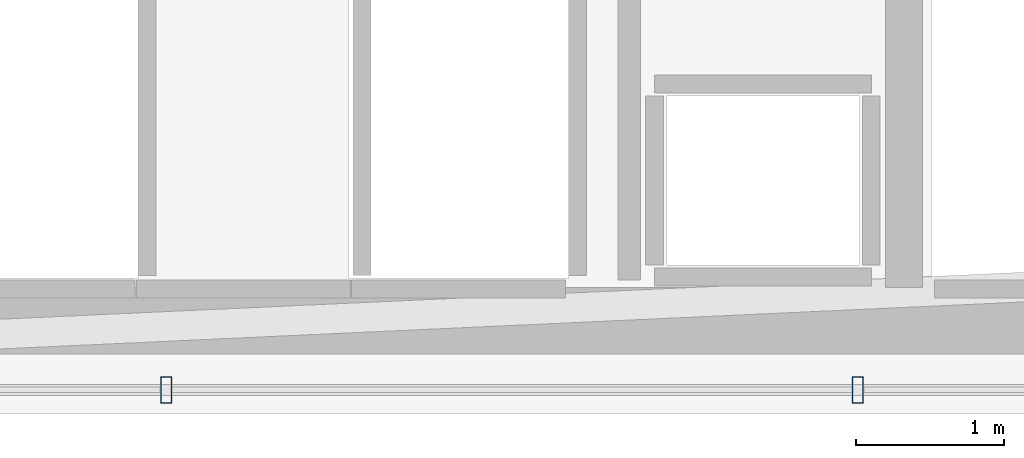
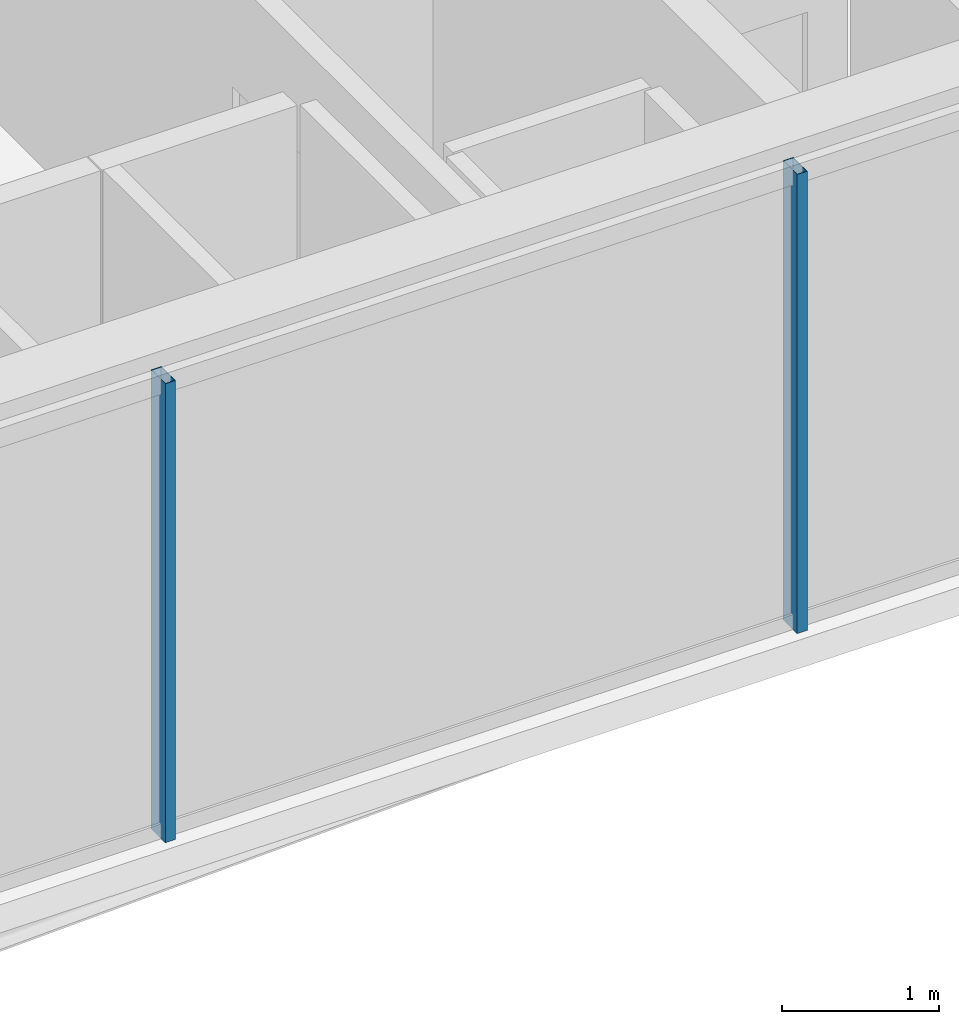
# One storey, part 9 of 33: 2 members, 1 element without a shape of its own.
"""IFC4 building model written with IfcOpenShell, lengths in metres."""

from ifc_helpers import new_model, si_unit, direction, frame, origin, origin_2d, place, context, subcontext, project, spatial, hollow_rectangle, extrude, material, layer, layer_set, material_profile, profile_set, type_object, element, aggregate, save


model = new_model("IFC4")

# Units and contexts
model_context = context("Model", 3, precision=1e-05, world=origin(), true_north=direction((0.0, 1.0)))
body_context = subcontext(model_context, "Body", "Model", "MODEL_VIEW")
ifc_project = project(units=[si_unit("LENGTHUNIT", "METRE"), si_unit("AREAUNIT", "SQUARE_METRE"), si_unit("VOLUMEUNIT", "CUBIC_METRE"), si_unit("PLANEANGLEUNIT", "RADIAN"), si_unit("MASSUNIT", "GRAM", prefix="KILO")], contexts=[model_context])

# Site, building, storey
site_placement = place(None, origin())
site = spatial("IfcSite", under=ifc_project, at=site_placement, CompositionType="ELEMENT")
building_placement = place(site_placement, origin())
building = spatial("IfcBuilding", under=site, at=building_placement, Name="Ndaravel Arena Tower", CompositionType="ELEMENT")
storey_placement = place(building_placement, frame((0.0, 0.0, 81.60009765625)))
storey = spatial("IfcBuildingStorey", under=building, at=storey_placement, Name="L18", CompositionType="ELEMENT", Elevation=81.60009765625)

# Curtain wall, members
ifc_material_1 = material(Name="Aluminium", Category="aluminium")
ifc_layer = layer(ifc_material_1, 0.179931640625)
ifc_layer_set = layer_set([ifc_layer], Name="Aluminium")
curtain_wall_type = type_object("IfcCurtainWallType", Name="CW-SYS-03", PredefinedType="NOTDEFINED", material=ifc_layer_set)
curtain_wall_placement = place(storey_placement, origin())
curtain_wall = element("IfcCurtainWall", 1, at=curtain_wall_placement, inside=storey, type_object=curtain_wall_type, Name="L18 Faceted Crystal Curtain Wall CW-L18-E01", PredefinedType="NOTDEFINED")
ifc_material_2 = material(Name="Aluminium", Category="aluminium")
ifc_material_profile = material_profile(ifc_material_2, hollow_rectangle(XDim=0.074951171875, YDim=0.179931640625, WallThickness=0.00390625, at=origin_2d()), Name="CW MULLION 75x180x4")
ifc_profile_set = profile_set([ifc_material_profile], Name="Aluminium")
member_type = type_object("IfcMemberType", Name="MEM-CW-MUL180", PredefinedType="MULLION", material=ifc_profile_set)
member_1_placement = place(storey_placement, frame((44.329833984375, 5.159912109375, 0.0), z_axis=(0.0, 0.0, 1.0), x_axis=(1.0, 0.0, 0.0)))
member_1 = element("IfcMember", 2, at=member_1_placement, type_object=member_type, Name="CW-L18-E01 Mullion 04", PredefinedType="MULLION", context=body_context, shape_type="SweptSolid", body=[
    extrude(hollow_rectangle(XDim=0.074951171875, YDim=0.179931640625, WallThickness=0.00390625, at=origin_2d()), origin(), (0.0, 0.0, 1.0), 3.579833984375),
])
member_2_placement = place(storey_placement, frame((48.989501953125, 5.159912109375, 0.0), z_axis=(0.0, 0.0, 1.0), x_axis=(1.0, 0.0, 0.0)))
member_2 = element("IfcMember", 3, at=member_2_placement, type_object=member_type, Name="CW-L18-E01 Mullion 05", PredefinedType="MULLION", context=body_context, shape_type="SweptSolid", body=[
    extrude(hollow_rectangle(XDim=0.074951171875, YDim=0.179931640625, WallThickness=0.00390625, at=origin_2d()), origin(), (0.0, 0.0, 1.0), 3.579833984375),
])
aggregate(curtain_wall, [member_1, member_2])

save(model, "model.ifc")
